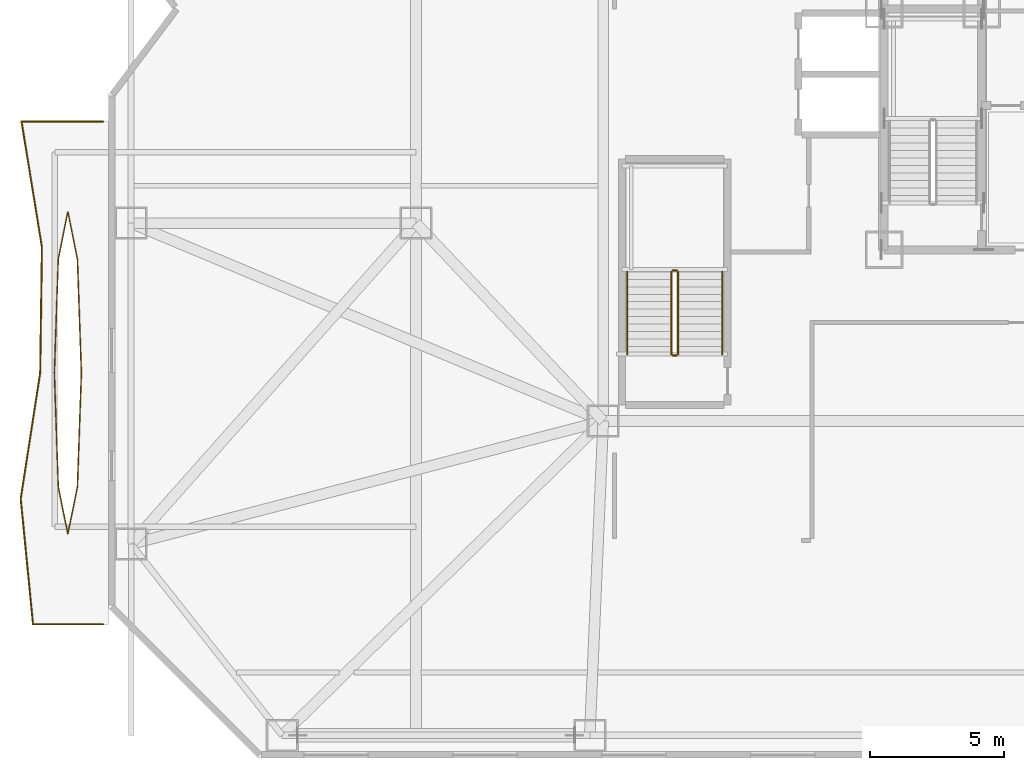
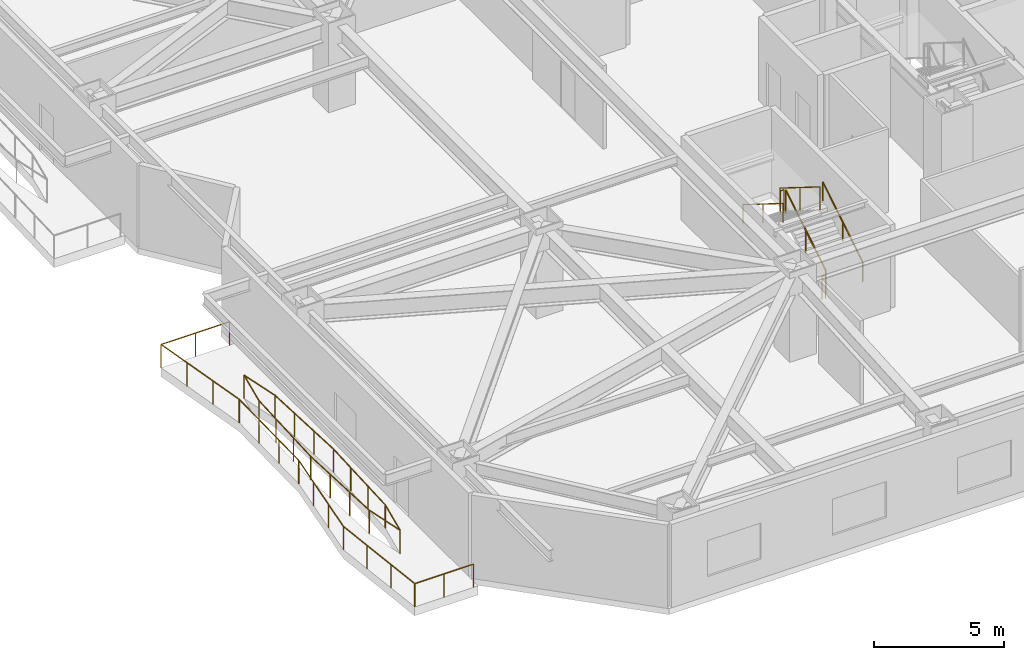
# One storey, part 20 of 25: 10 railings.
"""IFC4 building model written with IfcOpenShell, lengths in metres."""

import ifcopenshell
import ifcopenshell.guid

model = None  # the IFC model being written
_history = None  # IfcOwnerHistory: only IFC2X3 demands one
_inside = {}  # id of a spatial element -> (the spatial element, [elements in it])
_under = {}  # id of a project, library or spatial element -> (it, [spatial elements below it])
_declared = {}  # id of a project -> (the project, [libraries it declares])
_typed = {}  # id of a type object -> (the type object, [elements of that type])
_made_of = {}  # id of a material, layer set ... -> (it, [elements and type objects made of it])


def new_model(schema):
    """Start an empty IFC model of exactly this schema.

    Asked for "IFC4X3", IfcOpenShell would pick the latest addendum, in which some entities
    have other attributes; the version numbers below select the first issue.
    IFC2X3 requires an IfcOwnerHistory on every rooted entity: one is made here for all.
    """
    global model, _history
    if schema == "IFC4X3":
        model = ifcopenshell.file(schema_version=(4, 3, 0, 0))
    else:
        model = ifcopenshell.file(schema=schema)
    _inside.clear()
    _under.clear()
    _declared.clear()
    _typed.clear()
    _made_of.clear()
    _history = None
    if model.schema == "IFC2X3":
        org = make("IfcOrganization", Name="unknown")
        user = make(
            "IfcPersonAndOrganization",
            ThePerson=make("IfcPerson", FamilyName="unknown"),
            TheOrganization=org,
        )
        app = make(
            "IfcApplication",
            ApplicationDeveloper=org,
            Version="unknown",
            ApplicationFullName="unknown",
            ApplicationIdentifier="unknown",
        )
        _history = make(
            "IfcOwnerHistory",
            OwningUser=user,
            OwningApplication=app,
            ChangeAction="ADDED",
            CreationDate=0,
        )
    return model


def make(cls, **values):
    """One entity of the class cls with the attributes given. An attribute that is None is left unset."""
    return model.create_entity(
        cls, **{name: value for name, value in values.items() if value is not None}
    )


def rooted(cls, **values):
    """An entity with a GlobalId (a new one), such as an element, a storey or a relation."""
    return make(cls, GlobalId=ifcopenshell.guid.new(), OwnerHistory=_history, **values)


def si_unit(unit_type, name, prefix=None):
    """IfcSIUnit, for example si_unit("LENGTHUNIT", "METRE", prefix="MILLI")."""
    return make("IfcSIUnit", UnitType=unit_type, Prefix=prefix, Name=name)


def assignment(units):
    """IfcUnitAssignment: the units of a project."""
    return None if units is None else make("IfcUnitAssignment", Units=units)


def point(xyz):
    """IfcCartesianPoint."""
    return None if xyz is None else make("IfcCartesianPoint", Coordinates=xyz)


def direction(xyz):
    """IfcDirection."""
    return None if xyz is None else make("IfcDirection", DirectionRatios=xyz)


def frame(location, z_axis=None, x_axis=None):
    """IfcAxis2Placement3D, a coordinate frame: its origin and axes. An axis left out is left unset."""
    return make(
        "IfcAxis2Placement3D",
        Location=point(location),
        Axis=direction(z_axis),
        RefDirection=direction(x_axis),
    )


def frame_2d(location, x_axis=None):
    """IfcAxis2Placement2D, a coordinate frame in the plane: its origin and x axis."""
    return make(
        "IfcAxis2Placement2D", Location=point(location), RefDirection=direction(x_axis)
    )


def origin():
    """The frame at (0, 0, 0) with its axes left unset."""
    return frame((0.0, 0.0, 0.0))


def origin_2d():
    """The frame at (0, 0) in the plane with its x axis left unset."""
    return frame_2d((0.0, 0.0))


def place(relative_to, where):
    """IfcLocalPlacement: puts the frame where relative to a parent placement (None: the world)."""
    return make(
        "IfcLocalPlacement", PlacementRelTo=relative_to, RelativePlacement=where
    )


def context(
    kind, dimensions, precision=None, world=None, true_north=None, identifier=None
):
    """IfcGeometricRepresentationContext, for example the 3D "Model" context."""
    return make(
        "IfcGeometricRepresentationContext",
        ContextIdentifier=identifier,
        ContextType=kind,
        CoordinateSpaceDimension=dimensions,
        Precision=precision,
        WorldCoordinateSystem=world,
        TrueNorth=true_north,
    )


def subcontext(parent, identifier, kind, view, scale=None):
    """IfcGeometricRepresentationSubContext, for example "Body" below "Model"."""
    return make(
        "IfcGeometricRepresentationSubContext",
        ContextIdentifier=identifier,
        ContextType=kind,
        ParentContext=parent,
        TargetScale=scale,
        TargetView=view,
    )


def project(units=None, contexts=None):
    """IfcProject with its units and contexts."""
    return rooted(
        "IfcProject",
        Name="project",
        RepresentationContexts=contexts,
        UnitsInContext=assignment(units),
    )


def spatial(cls, under=None, at=None, **own):
    """A site, building, storey or space (cls), placed at a placement, below another one or the project."""
    s = rooted(cls, ObjectPlacement=at, **own)
    if under is not None:
        _under.setdefault(under.id(), (under, []))[1].append(s)
    return s


def profile(cls, at=None, kind="AREA", **sizes):
    """A parametric profile (cls). Its sizes go by their IFC names, for example OverallWidth=200.0."""
    return make(cls, ProfileType=kind, Position=at, **sizes)


def circle(**sizes):
    """IfcCircleProfileDef."""
    return profile("IfcCircleProfileDef", **sizes)


def extrude(swept, where, along, depth):
    """IfcExtrudedAreaSolid: the profile swept, set in the frame where, extruded along a direction by depth."""
    return make(
        "IfcExtrudedAreaSolid",
        SweptArea=swept,
        Position=where,
        ExtrudedDirection=direction(along),
        Depth=depth,
    )


def shape(context_of_items, identifier, shape_type, items):
    """IfcShapeRepresentation: the items that make up one representation, for example the "Body"."""
    return make(
        "IfcShapeRepresentation",
        ContextOfItems=context_of_items,
        RepresentationIdentifier=identifier,
        RepresentationType=shape_type,
        Items=items,
    )


def material(Name=None, Category=None):
    """IfcMaterial."""
    return make("IfcMaterial", Name=Name, Category=Category)


def made_of(thing, what):
    """Note that an element or type object is made of a material, layer set ...; save() writes the relation."""
    if what is not None:
        _made_of.setdefault(what.id(), (what, []))[1].append(thing)
    return thing


def type_object(cls, material=None, **own):
    """A type object (cls), such as IfcWallType, which elements share."""
    return made_of(rooted(cls, **own), material)


def element(
    cls,
    number,
    at=None,
    inside=None,
    cuts=None,
    type_object=None,
    material=None,
    context=None,
    identifier="Body",
    shape_type=None,
    held_by="IfcProductDefinitionShape",
    body=None,
    shapes=None,
    **own,
):
    """One element of the class cls, such as IfcWall. Its Tag is "e" and its number.

    at: its placement. inside: the storey or other place that contains it. cuts: it is an
    opening in that element (IfcRelVoidsElement). A single representation is given by context,
    identifier, shape_type and body (its items); several are given by shapes. held_by: the class
    of the entity that holds the representations. save() writes the other relations.
    """
    e = rooted(cls, Tag="e%d" % number, ObjectPlacement=at, **own)
    if body is not None:
        shapes = [shape(context, identifier, shape_type, body)]
    if shapes is not None:
        e.Representation = make(held_by, Representations=shapes)
    if inside is not None:
        _inside.setdefault(inside.id(), (inside, []))[1].append(e)
    if cuts is not None:
        rooted(
            "IfcRelVoidsElement", RelatingBuildingElement=cuts, RelatedOpeningElement=e
        )
    if type_object is not None:
        _typed.setdefault(type_object.id(), (type_object, []))[1].append(e)
    return made_of(e, material)


def aggregate(whole, parts):
    """IfcRelAggregates: a whole, such as a stair, and the parts it consists of."""
    return rooted("IfcRelAggregates", RelatingObject=whole, RelatedObjects=parts)


def save(model, path):
    """Write the relations noted so far, then the file.

    IfcRelAggregates (storeys below a building ...), IfcRelContainedInSpatialStructure (elements
    in a storey), IfcRelDefinesByType, IfcRelAssociatesMaterial and IfcRelDeclares: one each for
    every whole, place, type object, material and project.
    """
    for whole, parts in _under.values():
        aggregate(whole, parts)
    for where, things in _inside.values():
        rooted(
            "IfcRelContainedInSpatialStructure",
            RelatedElements=things,
            RelatingStructure=where,
        )
    for kind, things in _typed.values():
        rooted("IfcRelDefinesByType", RelatedObjects=things, RelatingType=kind)
    for what, things in _made_of.values():
        rooted("IfcRelAssociatesMaterial", RelatedObjects=things, RelatingMaterial=what)
    for by, libraries in _declared.values():
        rooted("IfcRelDeclares", RelatingContext=by, RelatedDefinitions=libraries)
    model.write(path)


model = new_model("IFC4")

# Units and contexts
model_context = context("Model", 3, precision=1e-05, world=origin(), true_north=direction((0.0, 1.0)))
body_context = subcontext(model_context, "Body", "Model", "MODEL_VIEW")
ifc_project = project(units=[si_unit("LENGTHUNIT", "METRE"), si_unit("AREAUNIT", "SQUARE_METRE"), si_unit("VOLUMEUNIT", "CUBIC_METRE"), si_unit("PLANEANGLEUNIT", "RADIAN"), si_unit("MASSUNIT", "GRAM", prefix="KILO")], contexts=[model_context])

# Site, building, storey
site_placement = place(None, origin())
site = spatial("IfcSite", under=ifc_project, at=site_placement, CompositionType="ELEMENT")
building_placement = place(site_placement, origin())
building = spatial("IfcBuilding", under=site, at=building_placement, Name="Khamvora Tower", CompositionType="ELEMENT")
storey_placement = place(building_placement, frame((0.0, 0.0, 24.60009765625)))
storey = spatial("IfcBuildingStorey", under=building, at=storey_placement, Name="L05", CompositionType="ELEMENT", Elevation=24.60009765625)

# Railings
ifc_material_1 = material(Name="Stainless Steel 316 and Laminated Glass", Category="steel")
railing_type_1 = type_object("IfcRailingType", Name="RAL-GAL-1120", PredefinedType="GUARDRAIL", material=ifc_material_1)
railing_1_placement = place(storey_placement, frame((-0.199951171875, 5.0, 0.0)))
element("IfcRailing", 1, at=railing_1_placement, inside=storey, type_object=railing_type_1, Name="L05 lens gallery south perimeter guardrail WL1", PredefinedType="GUARDRAIL", context=body_context, shape_type="SweptSolid", body=[
    extrude(circle(Radius=0.02392578125, at=origin_2d()), frame((0.0, 0.0, 1.09619140625), z_axis=(-1.0, 0.0, 0.0), x_axis=(0.0, -1.0, 0.0)), (0.0, 0.0, 1.0), 2.6201171875),
    extrude(circle(Radius=0.02392578125, at=origin_2d()), frame((-2.6201171875, 0.0, 1.09619140625), z_axis=(-0.097399731226, 0.995245342796, 0.0), x_axis=(-0.995245342796, -0.097399731226, 0.0)), (0.0, 0.0, 1.0), 4.722412109375),
    extrude(circle(Radius=0.02392578125, at=origin_2d()), frame((-3.080078125, 4.699951171875, 1.09619140625), z_axis=(0.15307545832, 0.988214503061, 0.0), x_axis=(-0.988214503061, 0.15307545832, 0.0)), (0.0, 0.0, 1.0), 4.756103515625),
    extrude(circle(Radius=0.02099609375, at=origin_2d()), origin(), (0.0, 0.0, 1.0), 1.072021484375),
    extrude(circle(Radius=0.02099609375, at=origin_2d()), frame((-1.31005859375, 0.0, 0.0)), (0.0, 0.0, 1.0), 1.072021484375),
    extrude(circle(Radius=0.02099609375, at=origin_2d()), frame((-2.6201171875, 0.0, 0.0)), (0.0, 0.0, 1.0), 1.072021484375),
    extrude(circle(Radius=0.02099609375, at=origin_2d()), frame((-2.7734375, 1.566650390625, 0.0)), (0.0, 0.0, 1.0), 1.072021484375),
    extrude(circle(Radius=0.02099609375, at=origin_2d()), frame((-2.9267578125, 3.13330078125, 0.0)), (0.0, 0.0, 1.0), 1.072021484375),
    extrude(circle(Radius=0.02099609375, at=origin_2d()), frame((-3.080078125, 4.699951171875, 0.0)), (0.0, 0.0, 1.0), 1.072021484375),
    extrude(circle(Radius=0.02099609375, at=origin_2d()), frame((-2.83740234375, 6.2666015625, 0.0)), (0.0, 0.0, 1.0), 1.072021484375),
    extrude(circle(Radius=0.02099609375, at=origin_2d()), frame((-2.5947265625, 7.833251953125, 0.0)), (0.0, 0.0, 1.0), 1.072021484375),
    extrude(circle(Radius=0.02099609375, at=origin_2d()), frame((-2.35205078125, 9.39990234375, 0.0)), (0.0, 0.0, 1.0), 1.072021484375),
])
railing_2_placement = place(storey_placement, frame((-2.552001953125, 14.39990234375, 0.0)))
element("IfcRailing", 2, at=railing_2_placement, inside=storey, type_object=railing_type_1, Name="L05 lens gallery north perimeter guardrail WL1", PredefinedType="GUARDRAIL", context=body_context, shape_type="SweptSolid", body=[
    extrude(circle(Radius=0.02392578125, at=origin_2d()), frame((0.0, 0.0, 1.09619140625), z_axis=(0.013815427675, 0.999904562425, 0.0), x_axis=(-0.999904562425, 0.013815427675, 0.0)), (0.0, 0.0, 1.0), 4.70068359375),
    extrude(circle(Radius=0.02392578125, at=origin_2d()), frame((0.06494140625, 4.7001953125, 1.09619140625), z_axis=(-0.160231839887, 0.987079407893, 0.0), x_axis=(-0.987079407893, -0.160231839887, 0.0)), (0.0, 0.0, 1.0), 4.761474609375),
    extrude(circle(Radius=0.02392578125, at=origin_2d()), frame((-0.697998046875, 9.400146484375, 1.09619140625), z_axis=(1.0, 0.0, 0.0), x_axis=(0.0, 1.0, 0.0)), (0.0, 0.0, 1.0), 3.050048828125),
    extrude(circle(Radius=0.02099609375, at=origin_2d()), origin(), (0.0, 0.0, 1.0), 1.072021484375),
    extrude(circle(Radius=0.02099609375, at=origin_2d()), frame((0.021728515625, 1.566650390625, 0.0)), (0.0, 0.0, 1.0), 1.072021484375),
    extrude(circle(Radius=0.02099609375, at=origin_2d()), frame((0.043212890625, 3.133544921875, 0.0)), (0.0, 0.0, 1.0), 1.072021484375),
    extrude(circle(Radius=0.02099609375, at=origin_2d()), frame((0.06494140625, 4.7001953125, 0.0)), (0.0, 0.0, 1.0), 1.072021484375),
    extrude(circle(Radius=0.02099609375, at=origin_2d()), frame((-0.189453125, 6.266845703125, 0.0)), (0.0, 0.0, 1.0), 1.072021484375),
    extrude(circle(Radius=0.02099609375, at=origin_2d()), frame((-0.443603515625, 7.83349609375, 0.0)), (0.0, 0.0, 1.0), 1.072021484375),
    extrude(circle(Radius=0.02099609375, at=origin_2d()), frame((-0.697998046875, 9.400146484375, 0.0)), (0.0, 0.0, 1.0), 1.072021484375),
    extrude(circle(Radius=0.02099609375, at=origin_2d()), frame((0.8271484375, 9.400146484375, 0.0)), (0.0, 0.0, 1.0), 1.072021484375),
    extrude(circle(Radius=0.02099609375, at=origin_2d()), frame((2.35205078125, 9.400146484375, 0.0)), (0.0, 0.0, 1.0), 1.072021484375),
])
railing_3_placement = place(storey_placement, frame((-1.010986328125, 14.39990234375, 0.0)))
element("IfcRailing", 3, at=railing_3_placement, inside=storey, type_object=railing_type_1, Name="L05 lens gallery void guardrail WL1A", PredefinedType="GUARDRAIL", context=body_context, shape_type="SweptSolid", body=[
    extrude(circle(Radius=0.02392578125, at=origin_2d()), frame((0.0, 0.0, 1.09619140625), z_axis=(-0.034756605959, 0.999395806646, 0.0), x_axis=(-0.999395806646, -0.034756605959, 0.0)), (0.0, 0.0, 1.0), 4.2568359375),
    extrude(circle(Radius=0.02392578125, at=origin_2d()), frame((-0.14794921875, 4.254150390625, 1.09619140625), z_axis=(-0.198022438185, 0.980197487232, 0.0), x_axis=(-0.980197487232, -0.198022438185, 0.0)), (0.0, 0.0, 1.0), 1.797607421875),
    extrude(circle(Radius=0.02392578125, at=origin_2d()), frame((-0.50390625, 6.01611328125, 1.09619140625), z_axis=(-0.198152924969, -0.98017111686, 0.0), x_axis=(0.98017111686, -0.198152924969, 0.0)), (0.0, 0.0, 1.0), 1.797607421875),
    extrude(circle(Radius=0.02392578125, at=origin_2d()), frame((-0.860107421875, 4.254150390625, 1.09619140625), z_axis=(-0.034756605959, -0.999395806646, 0.0), x_axis=(0.999395806646, -0.034756605959, 0.0)), (0.0, 0.0, 1.0), 4.2568359375),
    extrude(circle(Radius=0.02099609375, at=origin_2d()), origin(), (0.0, 0.0, 1.0), 1.072021484375),
    extrude(circle(Radius=0.02099609375, at=origin_2d()), frame((-0.04931640625, 1.41796875, 0.0)), (0.0, 0.0, 1.0), 1.072021484375),
    extrude(circle(Radius=0.02099609375, at=origin_2d()), frame((-0.0986328125, 2.836181640625, 0.0)), (0.0, 0.0, 1.0), 1.072021484375),
    extrude(circle(Radius=0.02099609375, at=origin_2d()), frame((-0.14794921875, 4.254150390625, 0.0)), (0.0, 0.0, 1.0), 1.072021484375),
    extrude(circle(Radius=0.02099609375, at=origin_2d()), frame((-0.50390625, 6.01611328125, 0.0)), (0.0, 0.0, 1.0), 1.072021484375),
    extrude(circle(Radius=0.02099609375, at=origin_2d()), frame((-0.860107421875, 4.254150390625, 0.0)), (0.0, 0.0, 1.0), 1.072021484375),
    extrude(circle(Radius=0.02099609375, at=origin_2d()), frame((-0.909423828125, 2.836181640625, 0.0)), (0.0, 0.0, 1.0), 1.072021484375),
    extrude(circle(Radius=0.02099609375, at=origin_2d()), frame((-0.958740234375, 1.41796875, 0.0)), (0.0, 0.0, 1.0), 1.072021484375),
    extrude(circle(Radius=0.02099609375, at=origin_2d()), frame((-1.008056640625, 0.0, 0.0)), (0.0, 0.0, 1.0), 1.072021484375),
])
railing_4_placement = place(storey_placement, frame((-2.01904296875, 14.39990234375, 0.0)))
element("IfcRailing", 4, at=railing_4_placement, inside=storey, type_object=railing_type_1, Name="L05 lens gallery void guardrail WL1B", PredefinedType="GUARDRAIL", context=body_context, shape_type="SweptSolid", body=[
    extrude(circle(Radius=0.02392578125, at=origin_2d()), frame((0.0, 0.0, 1.09619140625), z_axis=(0.034758598303, -0.999395737355, 0.0), x_axis=(0.999395737355, 0.034758598303, 0.0)), (0.0, 0.0, 1.0), 4.256591796875),
    extrude(circle(Radius=0.02392578125, at=origin_2d()), frame((0.14794921875, -4.25390625, 1.09619140625), z_axis=(0.198152924969, -0.98017111686, 0.0), x_axis=(0.98017111686, 0.198152924969, 0.0)), (0.0, 0.0, 1.0), 1.797607421875),
    extrude(circle(Radius=0.02392578125, at=origin_2d()), frame((0.504150390625, -6.015869140625, 1.09619140625), z_axis=(0.198022438185, 0.980197487232, 0.0), x_axis=(-0.980197487232, 0.198022438185, 0.0)), (0.0, 0.0, 1.0), 1.797607421875),
    extrude(circle(Radius=0.02392578125, at=origin_2d()), frame((0.860107421875, -4.25390625, 1.09619140625), z_axis=(0.034758598303, 0.999395737355, 0.0), x_axis=(-0.999395737355, 0.034758598303, 0.0)), (0.0, 0.0, 1.0), 4.256591796875),
    extrude(circle(Radius=0.02099609375, at=origin_2d()), origin(), (0.0, 0.0, 1.0), 1.072021484375),
    extrude(circle(Radius=0.02099609375, at=origin_2d()), frame((0.04931640625, -1.41796875, 0.0)), (0.0, 0.0, 1.0), 1.072021484375),
    extrude(circle(Radius=0.02099609375, at=origin_2d()), frame((0.0986328125, -2.8359375, 0.0)), (0.0, 0.0, 1.0), 1.072021484375),
    extrude(circle(Radius=0.02099609375, at=origin_2d()), frame((0.14794921875, -4.25390625, 0.0)), (0.0, 0.0, 1.0), 1.072021484375),
    extrude(circle(Radius=0.02099609375, at=origin_2d()), frame((0.504150390625, -6.015869140625, 0.0)), (0.0, 0.0, 1.0), 1.072021484375),
    extrude(circle(Radius=0.02099609375, at=origin_2d()), frame((0.860107421875, -4.25390625, 0.0)), (0.0, 0.0, 1.0), 1.072021484375),
    extrude(circle(Radius=0.02099609375, at=origin_2d()), frame((0.909423828125, -2.8359375, 0.0)), (0.0, 0.0, 1.0), 1.072021484375),
    extrude(circle(Radius=0.02099609375, at=origin_2d()), frame((0.958740234375, -1.41796875, 0.0)), (0.0, 0.0, 1.0), 1.072021484375),
    extrude(circle(Radius=0.02099609375, at=origin_2d()), frame((1.008056640625, 0.0, 0.0)), (0.0, 0.0, 1.0), 1.072021484375),
])
ifc_material_2 = material(Name="Brushed Stainless Steel 316", Category="steel")
railing_type_2 = type_object("IfcRailingType", Name="RAL-HDR-920", PredefinedType="HANDRAIL", material=ifc_material_2)
railing_5_placement = place(storey_placement, frame((22.949951171875, 15.10009765625, 0.1748046875)))
element("IfcRailing", 5, at=railing_5_placement, inside=storey, type_object=railing_type_2, Name="L05 ST-03 stair handrail 1", PredefinedType="HANDRAIL", context=body_context, shape_type="SweptSolid", body=[
    extrude(circle(Radius=0.02392578125, at=origin_2d()), frame((0.0, 0.0, 0.8759765625), z_axis=(0.0, 0.847979421464, 0.530029150871), x_axis=(-1.0, 0.0, 0.0)), (0.0, 0.0, 1.0), 3.632080078125),
    extrude(circle(Radius=0.02099609375, at=origin_2d()), origin(), (0.0, 0.0, 1.0), 0.851806640625),
    extrude(circle(Radius=0.02099609375, at=origin_2d()), frame((0.0, 1.5400390625, 0.96240234375)), (0.0, 0.0, 1.0), 0.851806640625),
    extrude(circle(Radius=0.02099609375, at=origin_2d()), frame((0.0, 3.079833984375, 1.925048828125)), (0.0, 0.0, 1.0), 0.851806640625),
])
railing_6_placement = place(storey_placement, frame((19.39990234375, 18.179931640625, 2.27490234375)))
element("IfcRailing", 6, at=railing_6_placement, inside=storey, type_object=railing_type_2, Name="L05 ST-03 stair handrail 2", PredefinedType="HANDRAIL", context=body_context, shape_type="SweptSolid", body=[
    extrude(circle(Radius=0.02392578125, at=origin_2d()), frame((0.0, 0.0, 0.8759765625), z_axis=(0.0, -0.847979421464, 0.530029150871), x_axis=(1.0, 0.0, 0.0)), (0.0, 0.0, 1.0), 3.632080078125),
    extrude(circle(Radius=0.02099609375, at=origin_2d()), origin(), (0.0, 0.0, 1.0), 0.851806640625),
    extrude(circle(Radius=0.02099609375, at=origin_2d()), frame((0.0, -1.5400390625, 0.96240234375)), (0.0, 0.0, 1.0), 0.851806640625),
    extrude(circle(Radius=0.02099609375, at=origin_2d()), frame((0.0, -3.079833984375, 1.925048828125)), (0.0, 0.0, 1.0), 0.851806640625),
])
ifc_material_3 = material(Name="Stainless Steel 316", Category="steel")
railing_type_3 = type_object("IfcRailingType", Name="RAL-STG-1100", PredefinedType="GUARDRAIL", material=ifc_material_3)
railing_7_placement = place(storey_placement, frame((21.300048828125, 15.10009765625, 0.1748046875)))
element("IfcRailing", 7, at=railing_7_placement, inside=storey, type_object=railing_type_3, Name="L05 ST-03 stair guard 1", PredefinedType="GUARDRAIL", context=body_context, shape_type="SweptSolid", body=[
    extrude(circle(Radius=0.02392578125, at=origin_2d()), frame((0.0, 0.0, 1.076171875), z_axis=(0.0, 0.847979421464, 0.530029150871), x_axis=(-1.0, 0.0, 0.0)), (0.0, 0.0, 1.0), 3.632080078125),
    extrude(circle(Radius=0.02099609375, at=origin_2d()), origin(), (0.0, 0.0, 1.0), 1.052001953125),
    extrude(circle(Radius=0.02099609375, at=origin_2d()), frame((0.0, 1.5400390625, 0.96240234375)), (0.0, 0.0, 1.0), 1.052001953125),
    extrude(circle(Radius=0.02099609375, at=origin_2d()), frame((0.0, 3.079833984375, 1.925048828125)), (0.0, 0.0, 1.0), 1.052001953125),
])
railing_8_placement = place(storey_placement, frame((21.25, 18.22998046875, 2.099853515625)))
element("IfcRailing", 8, at=railing_8_placement, inside=storey, type_object=railing_type_3, Name="L05 ST-03 stair guard 2", PredefinedType="GUARDRAIL", context=body_context, shape_type="SweptSolid", body=[
    extrude(circle(Radius=0.02392578125, at=origin_2d()), frame((0.0, 0.0, 1.076171875), z_axis=(-1.0, 0.0, 0.0), x_axis=(0.0, -1.0, 0.0)), (0.0, 0.0, 1.0), 0.14990234375),
    extrude(circle(Radius=0.02099609375, at=origin_2d()), origin(), (0.0, 0.0, 1.0), 1.052001953125),
    extrude(circle(Radius=0.02099609375, at=origin_2d()), frame((-0.14990234375, 0.0, 0.0)), (0.0, 0.0, 1.0), 1.052001953125),
])
railing_9_placement = place(storey_placement, frame((21.050048828125, 18.179931640625, 2.27490234375)))
element("IfcRailing", 9, at=railing_9_placement, inside=storey, type_object=railing_type_3, Name="L05 ST-03 stair guard 3", PredefinedType="GUARDRAIL", context=body_context, shape_type="SweptSolid", body=[
    extrude(circle(Radius=0.02392578125, at=origin_2d()), frame((0.0, 0.0, 1.076171875), z_axis=(0.0, -0.847979421464, 0.530029150871), x_axis=(1.0, 0.0, 0.0)), (0.0, 0.0, 1.0), 3.632080078125),
    extrude(circle(Radius=0.02099609375, at=origin_2d()), origin(), (0.0, 0.0, 1.0), 1.052001953125),
    extrude(circle(Radius=0.02099609375, at=origin_2d()), frame((0.0, -1.5400390625, 0.96240234375)), (0.0, 0.0, 1.0), 1.052001953125),
    extrude(circle(Radius=0.02099609375, at=origin_2d()), frame((0.0, -3.079833984375, 1.925048828125)), (0.0, 0.0, 1.0), 1.052001953125),
])
railing_10_placement = place(storey_placement, frame((21.25, 15.050048828125, 0.0)))
element("IfcRailing", 10, at=railing_10_placement, inside=storey, type_object=railing_type_3, Name="L05 ST-03 stair guard 4", PredefinedType="GUARDRAIL", context=body_context, shape_type="SweptSolid", body=[
    extrude(circle(Radius=0.02392578125, at=origin_2d()), frame((0.0, 0.0, 1.076171875), z_axis=(-1.0, 0.0, 0.0), x_axis=(0.0, -1.0, 0.0)), (0.0, 0.0, 1.0), 0.14990234375),
    extrude(circle(Radius=0.02099609375, at=origin_2d()), origin(), (0.0, 0.0, 1.0), 1.052001953125),
    extrude(circle(Radius=0.02099609375, at=origin_2d()), frame((-0.14990234375, 0.0, 0.0)), (0.0, 0.0, 1.0), 1.052001953125),
])

save(model, "model.ifc")
